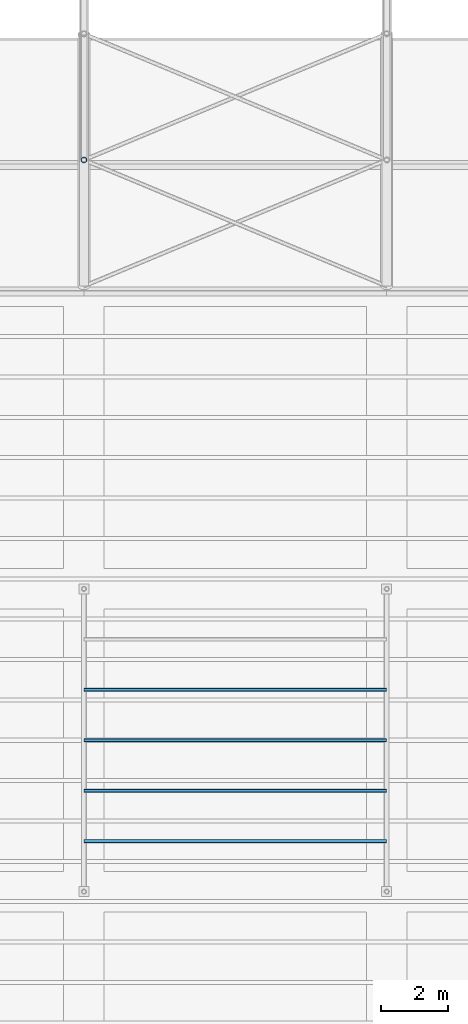
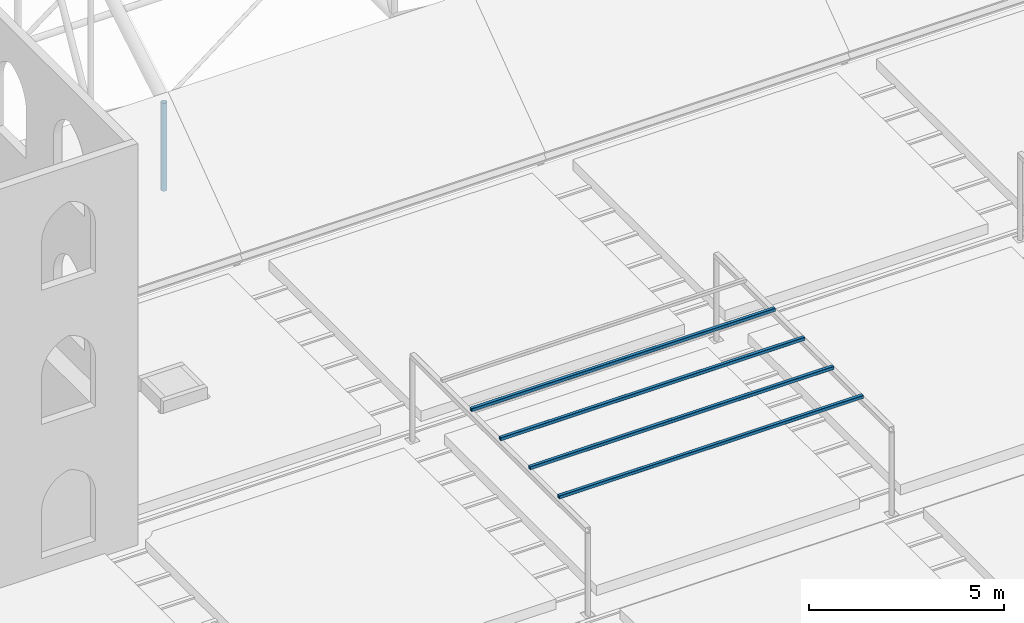
# One storey, part 20 of 153: 5 members.
"""IFC4 building model written with IfcOpenShell, lengths in metres."""

from ifc_helpers import new_model, si_unit, direction, frame, origin, origin_2d, place, context, subcontext, project, spatial, hollow_rectangle, hollow_circle, extrude, material, material_profile, profile_set, type_object, element, save


model = new_model("IFC4")

# Units and contexts
model_context = context("Model", 3, precision=1e-05, world=origin(), true_north=direction((0.0, 1.0)))
body_context = subcontext(model_context, "Body", "Model", "MODEL_VIEW")
ifc_project = project(units=[si_unit("LENGTHUNIT", "METRE"), si_unit("AREAUNIT", "SQUARE_METRE"), si_unit("VOLUMEUNIT", "CUBIC_METRE"), si_unit("PLANEANGLEUNIT", "RADIAN"), si_unit("MASSUNIT", "GRAM", prefix="KILO")], contexts=[model_context])

# Site, building, storey
site_placement = place(None, origin())
site = spatial("IfcSite", under=ifc_project, at=site_placement, CompositionType="ELEMENT")
building_placement = place(site_placement, origin())
building = spatial("IfcBuilding", under=site, at=building_placement, Name="Baradari Gate Terminus", CompositionType="ELEMENT")
storey_placement = place(building_placement, frame((0.0, 0.0, 11.699951171875)))
storey = spatial("IfcBuildingStorey", under=building, at=storey_placement, Name="L02", CompositionType="ELEMENT", Elevation=11.699951171875)

# Members
ifc_material_1 = material(Name="Steel S355", Category="steel")
ifc_material_profile_1 = material_profile(ifc_material_1, hollow_rectangle(XDim=0.10009765625, YDim=0.10009765625, WallThickness=0.00634765625, InnerFilletRadius=0.00634765625, OuterFilletRadius=0.0126953125, at=origin_2d()), Name="SHS 100x100x6.3")
ifc_profile_set_1 = profile_set([ifc_material_profile_1], Name="Steel S355")
member_type_1 = type_object("IfcMemberType", Name="Pergola rafter SHS 100x100x6.3", PredefinedType="STRINGER", material=ifc_profile_set_1)
for number, where, z_axis, x_axis, name in (
    (1, (99.0, 19.5, 2.800048828125), (1.0, 0.0, 0.0), (0.0, 1.0, 0.0), "RF/L02/PGS1-PGR1"),
    (2, (99.0, 21.0, 2.800048828125), (1.0, 0.0, 0.0), (0.0, 1.0, 0.0), "RF/L02/PGS1-PGR2"),
    (3, (99.0, 22.5, 2.800048828125), (1.0, 0.0, 0.0), (0.0, 1.0, 0.0), "RF/L02/PGS1-PGR3"),
    (4, (99.0, 24.0, 2.800048828125), (1.0, 0.0, 0.0), (0.0, 1.0, 0.0), "RF/L02/PGS1-PGR4"),
):
    element("IfcMember", number, at=place(storey_placement, frame(where, z_axis=z_axis, x_axis=x_axis)), inside=storey, type_object=member_type_1, Name=name, PredefinedType="STRINGER", context=body_context, shape_type="SweptSolid", body=[
        extrude(hollow_rectangle(XDim=0.10009765625, YDim=0.10009765625, WallThickness=0.00634765625, InnerFilletRadius=0.00634765625, OuterFilletRadius=0.0126953125, at=origin_2d()), origin(), (0.0, 0.0, 1.0), 9.0),
    ])
ifc_material_2 = material(Name="Steel S355", Category="steel")
ifc_material_profile_2 = material_profile(ifc_material_2, hollow_circle(Radius=0.084228515625, WallThickness=0.008056640625, at=origin_2d()), Name="CHS 168.3x8")
ifc_profile_set_2 = profile_set([ifc_material_profile_2], Name="Steel S355")
member_type_2 = type_object("IfcMemberType", Name="Shed truss post CHS 168.3x8", PredefinedType="POST", material=ifc_profile_set_2)
member_placement = place(storey_placement, frame((99.0, 39.75, 0.136474609375), z_axis=(0.0, 0.0, 1.0), x_axis=(1.0, 0.0, 0.0)))
element("IfcMember", 5, at=member_placement, inside=storey, type_object=member_type_2, Name="TR/L02/S99-SP01", PredefinedType="POST", context=body_context, shape_type="SweptSolid", body=[
    extrude(hollow_circle(Radius=0.084228515625, WallThickness=0.008056640625, at=origin_2d()), origin(), (0.0, 0.0, 1.0), 2.75),
])

save(model, "model.ifc")
